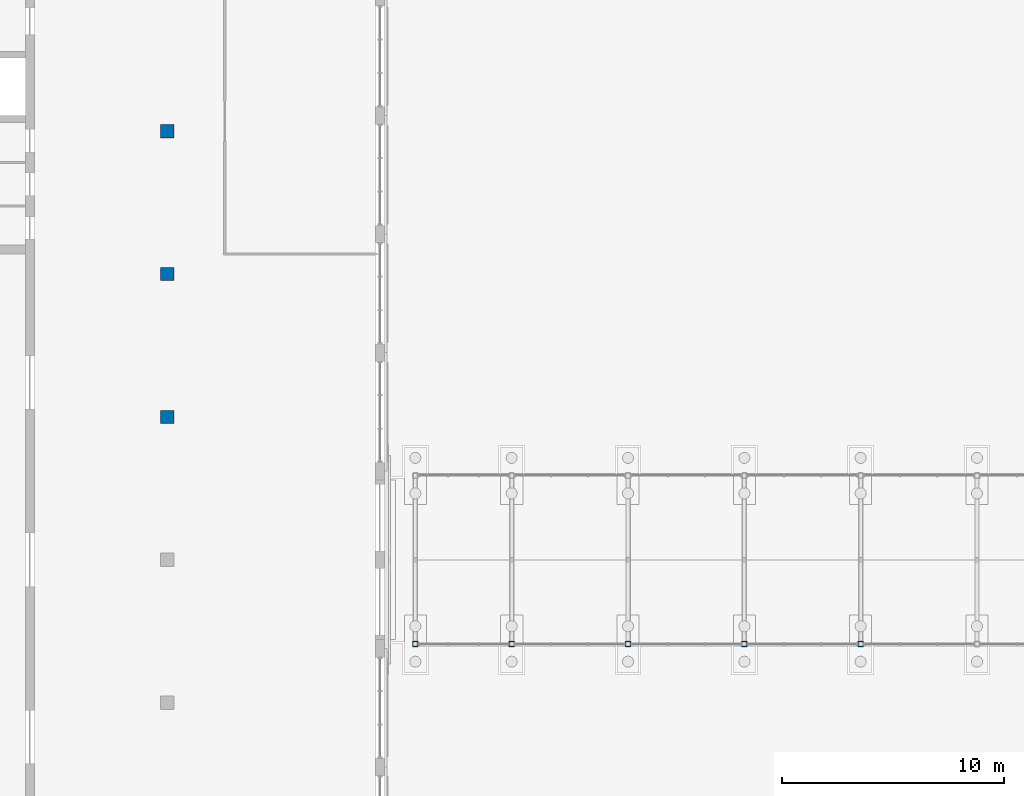
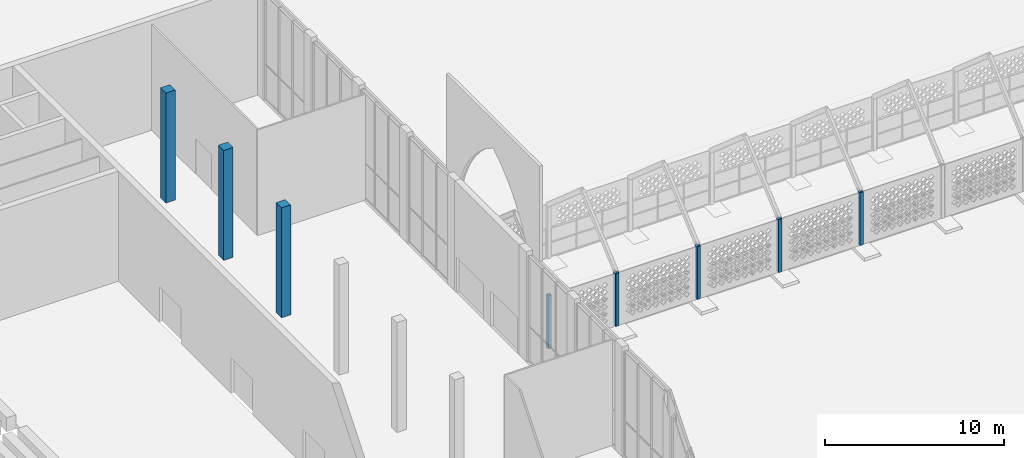
# One storey, part 7 of 79: 8 columns.
"""IFC4 building model written with IfcOpenShell, lengths in metres."""

from ifc_helpers import new_model, si_unit, direction, frame, origin, origin_2d, place, context, subcontext, project, spatial, rectangle, hollow_rectangle, extrude, material, material_profile, profile_set, type_object, element, save


model = new_model("IFC4")

# Units and contexts
model_context = context("Model", 3, precision=1e-05, world=origin(), true_north=direction((0.0, 1.0)))
body_context = subcontext(model_context, "Body", "Model", "MODEL_VIEW")
ifc_project = project(units=[si_unit("LENGTHUNIT", "METRE"), si_unit("AREAUNIT", "SQUARE_METRE"), si_unit("VOLUMEUNIT", "CUBIC_METRE"), si_unit("PLANEANGLEUNIT", "RADIAN"), si_unit("MASSUNIT", "GRAM", prefix="KILO")], contexts=[model_context])

# Site, building, storey
site_placement = place(None, origin())
site = spatial("IfcSite", under=ifc_project, at=site_placement, CompositionType="ELEMENT")
building_placement = place(site_placement, origin())
building = spatial("IfcBuilding", under=site, at=building_placement, Name="Noorbagh Ring Tower", CompositionType="ELEMENT")
storey_placement = place(building_placement, origin())
storey = spatial("IfcBuildingStorey", under=building, at=storey_placement, Name="L00", CompositionType="ELEMENT", Elevation=0.0)

# Columns
ifc_material_1 = material(Name="Steel S355", Category="steel")
ifc_material_profile_1 = material_profile(ifc_material_1, hollow_rectangle(XDim=0.25, YDim=0.25, WallThickness=0.01611328125, InnerFilletRadius=0.01611328125, OuterFilletRadius=0.0400390625, at=origin_2d()), Name="SHS250x250x16")
ifc_profile_set_1 = profile_set([ifc_material_profile_1], Name="Steel S355")
column_type_1 = type_object("IfcColumnType", Name="AR-COL", PredefinedType="COLUMN", material=ifc_profile_set_1)
for number, where, z_axis, x_axis, name in (
    (1, (-93.60009765625, 1.199951171875, 0.0), (0.0, 0.0, 1.0), (1.0, 0.0, 0.0), "L00/ar-col/1S"),
    (2, (-89.25, 1.199951171875, 0.0), (0.0, 0.0, 1.0), (1.0, 0.0, 0.0), "L00/ar-col/2S"),
    (3, (-84.0, 1.199951171875, 0.0), (0.0, 0.0, 1.0), (1.0, 0.0, 0.0), "L00/ar-col/3S"),
    (4, (-78.75, 1.199951171875, 0.0), (0.0, 0.0, 1.0), (1.0, 0.0, 0.0), "L00/ar-col/4S"),
    (5, (-73.5, 1.199951171875, 0.0), (0.0, 0.0, 1.0), (1.0, 0.0, 0.0), "L00/ar-col/5S"),
):
    element("IfcColumn", number, at=place(storey_placement, frame(where, z_axis=z_axis, x_axis=x_axis)), inside=storey, type_object=column_type_1, Name=name, PredefinedType="COLUMN", context=body_context, shape_type="SweptSolid", body=[
        extrude(hollow_rectangle(XDim=0.25, YDim=0.25, WallThickness=0.01611328125, InnerFilletRadius=0.01611328125, OuterFilletRadius=0.0400390625, at=origin_2d()), origin(), (0.0, 0.0, 1.0), 3.60009765625),
    ])
ifc_material_2 = material(Name="Concrete C50/60", Category="concrete")
ifc_material_profile_2 = material_profile(ifc_material_2, rectangle(XDim=0.60009765625, YDim=0.60009765625, at=origin_2d()), Name="RC600x600")
ifc_profile_set_2 = profile_set([ifc_material_profile_2], Name="Concrete C50/60")
column_type_2 = type_object("IfcColumnType", Name="TH-COL-FOYER", PredefinedType="COLUMN", material=ifc_profile_set_2)
for number, where, z_axis, x_axis, name in (
    (6, (-104.800048828125, 11.449951171875, 0.0), (0.0, 0.0, 1.0), (1.0, 0.0, 0.0), "L00/th-col/foyer-5"),
    (7, (-104.800048828125, 17.89990234375, 0.0), (0.0, 0.0, 1.0), (1.0, 0.0, 0.0), "L00/th-col/foyer-6"),
    (8, (-104.800048828125, 24.35009765625, 0.0), (0.0, 0.0, 1.0), (1.0, 0.0, 0.0), "L00/th-col/foyer-7"),
):
    element("IfcColumn", number, at=place(storey_placement, frame(where, z_axis=z_axis, x_axis=x_axis)), inside=storey, type_object=column_type_2, Name=name, PredefinedType="COLUMN", context=body_context, shape_type="SweptSolid", body=[
        extrude(rectangle(XDim=0.60009765625, YDim=0.60009765625, at=origin_2d()), origin(), (0.0, 0.0, 1.0), 7.5),
    ])

save(model, "model.ifc")
